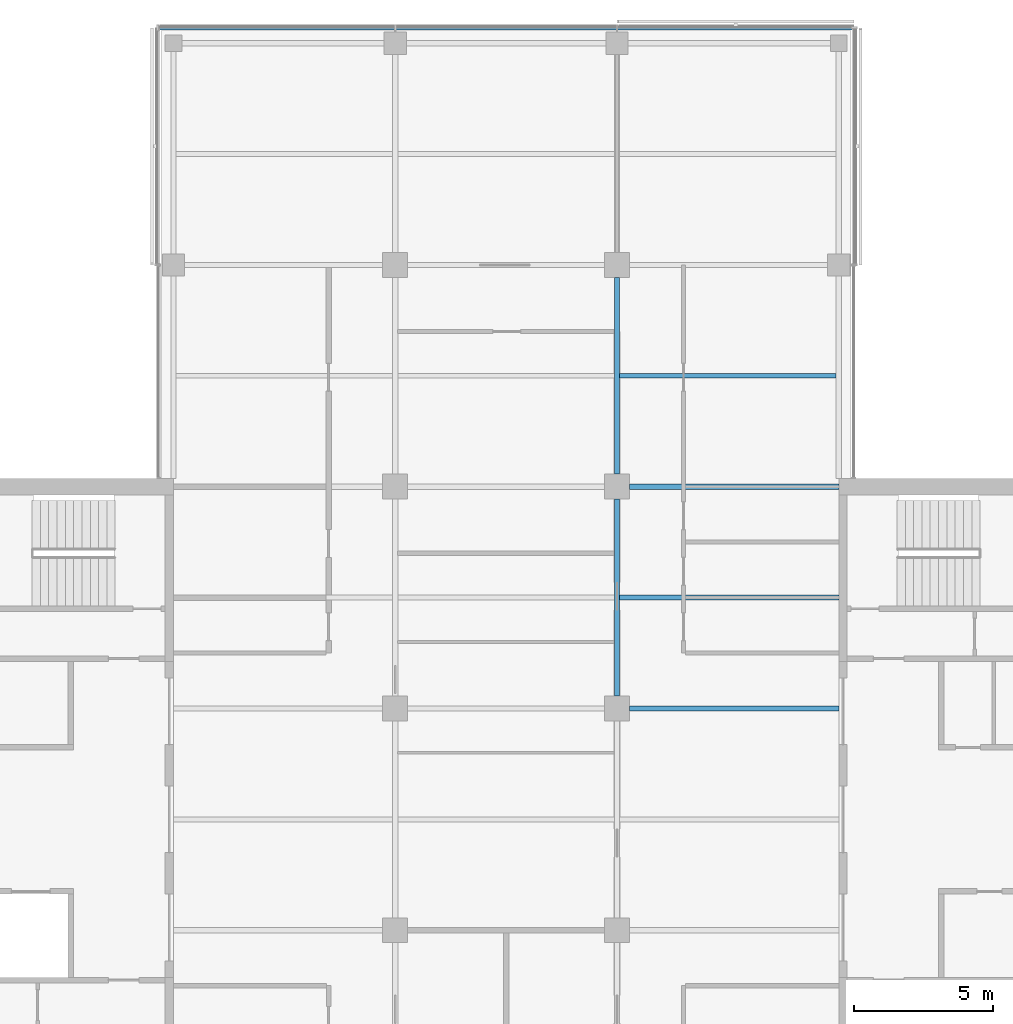
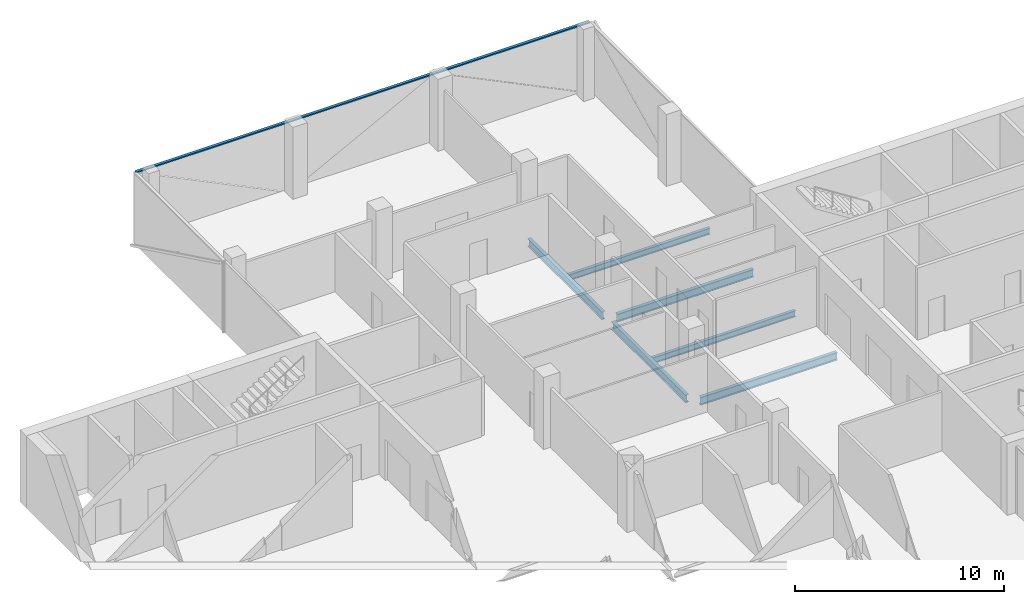
# One storey, part 6 of 15: 6 beams, 1 member, 1 element without a shape of its own.
"""IFC4 building model written with IfcOpenShell, lengths in metres."""

from ifc_helpers import new_model, si_unit, direction, frame, origin, origin_2d, place, context, subcontext, project, spatial, rectangle, i_section, extrude, material, material_profile, profile_set, type_object, element, aggregate, save


model = new_model("IFC4")

# Units and contexts
model_context = context("Model", 3, precision=1e-05, world=origin(), true_north=direction((0.0, 1.0)))
body_context = subcontext(model_context, "Body", "Model", "MODEL_VIEW")
ifc_project = project(units=[si_unit("LENGTHUNIT", "METRE"), si_unit("AREAUNIT", "SQUARE_METRE"), si_unit("VOLUMEUNIT", "CUBIC_METRE"), si_unit("PLANEANGLEUNIT", "RADIAN"), si_unit("MASSUNIT", "GRAM", prefix="KILO")], contexts=[model_context])

# Site, building, storey
site_placement = place(None, origin())
site = spatial("IfcSite", under=ifc_project, at=site_placement, CompositionType="ELEMENT")
building_placement = place(site_placement, origin())
building = spatial("IfcBuilding", under=site, at=building_placement, Name="Crosswind Convention Tower", CompositionType="ELEMENT")
storey_placement = place(building_placement, frame((0.0, 0.0, 220.89990234375)))
storey = spatial("IfcBuildingStorey", under=building, at=storey_placement, Name="L47", CompositionType="ELEMENT", Elevation=220.89990234375)

# Beams
ifc_material_1 = material(Name="Steel S355", Category="steel")
ifc_material_profile_1 = material_profile(ifc_material_1, i_section(OverallWidth=0.1904296875, OverallDepth=0.457275390625, WebThickness=0.009033203125, FlangeThickness=0.014404296875, FilletRadius=0.01025390625, at=origin_2d()), Name="UB 457x191x75")
ifc_profile_set_1 = profile_set([ifc_material_profile_1], Name="Steel S355")
beam_type_1 = type_object("IfcBeamType", Name="Girder UB 457x191x75", PredefinedType="BEAM", material=ifc_profile_set_1)
for number, where, z_axis, x_axis, name in (
    (1, (129.0, 104.449951171875, -0.528564453125), (0.0, 1.0, 0.0), (-1.0, 0.0, 0.0), "B2 L47 girder 20"),
    (2, (129.0, 112.449951171875, -0.528564453125), (0.0, 1.0, 0.0), (-1.0, 0.0, 0.0), "B2 L47 girder 21"),
):
    element("IfcBeam", number, at=place(storey_placement, frame(where, z_axis=z_axis, x_axis=x_axis)), inside=storey, type_object=beam_type_1, Name=name, PredefinedType="BEAM", context=body_context, shape_type="SweptSolid", body=[
        extrude(i_section(OverallWidth=0.1904296875, OverallDepth=0.457275390625, WebThickness=0.009033203125, FlangeThickness=0.014404296875, FilletRadius=0.01025390625, at=origin_2d()), origin(), (0.0, 0.0, 1.0), 7.10009765625),
    ])
ifc_material_profile_2 = material_profile(ifc_material_1, i_section(OverallWidth=0.19140625, OverallDepth=0.460205078125, WebThickness=0.010009765625, FlangeThickness=0.01611328125, FilletRadius=0.01025390625, at=origin_2d()), Name="UB 457x191x82")
ifc_profile_set_2 = profile_set([ifc_material_profile_2], Name="Steel S355")
beam_type_2 = type_object("IfcBeamType", Name="Girder at core wall UB 457x191x82", PredefinedType="BEAM", material=ifc_profile_set_2)
for number, where, z_axis, x_axis, name in (
    (3, (129.449951171875, 104.0, -0.530029296875), (1.0, 0.0, 0.0), (0.0, 1.0, 0.0), "B23 L47 girder at core wall 7"),
    (4, (129.449951171875, 112.0, -0.530029296875), (1.0, 0.0, 0.0), (0.0, 1.0, 0.0), "B23 L47 girder at core wall 8"),
):
    element("IfcBeam", number, at=place(storey_placement, frame(where, z_axis=z_axis, x_axis=x_axis)), inside=storey, type_object=beam_type_2, Name=name, PredefinedType="BEAM", context=body_context, shape_type="SweptSolid", body=[
        extrude(i_section(OverallWidth=0.19140625, OverallDepth=0.460205078125, WebThickness=0.010009765625, FlangeThickness=0.01611328125, FilletRadius=0.01025390625, at=origin_2d()), origin(), (0.0, 0.0, 1.0), 7.550048828125),
    ])
ifc_material_profile_3 = material_profile(ifc_material_1, i_section(OverallWidth=0.172119140625, OverallDepth=0.358642578125, WebThickness=0.008056640625, FlangeThickness=0.012939453125, FilletRadius=0.01025390625, at=origin_2d()), Name="UB 356x171x57")
ifc_profile_set_3 = profile_set([ifc_material_profile_3], Name="Steel S355")
beam_type_3 = type_object("IfcBeamType", Name="Secondary beam UB 356x171x57", PredefinedType="JOIST", material=ifc_profile_set_3)
beam_1_placement = place(storey_placement, frame((129.09521484375, 108.0, -0.479248046875), z_axis=(1.0, 0.0, 0.0), x_axis=(0.0, 1.0, 0.0)))
element("IfcBeam", 5, at=beam_1_placement, inside=storey, type_object=beam_type_3, Name="B9 L47 secondary beam 19", PredefinedType="JOIST", context=body_context, shape_type="SweptSolid", body=[
    extrude(i_section(OverallWidth=0.172119140625, OverallDepth=0.358642578125, WebThickness=0.008056640625, FlangeThickness=0.012939453125, FilletRadius=0.01025390625, at=origin_2d()), origin(), (0.0, 0.0, 1.0), 7.90478515625),
])
beam_2_placement = place(storey_placement, frame((129.09521484375, 116.0, -0.479248046875), z_axis=(1.0, 0.0, 0.0), x_axis=(0.0, 1.0, 0.0)))
element("IfcBeam", 6, at=beam_2_placement, inside=storey, type_object=beam_type_3, Name="B9 L47 secondary beam 20", PredefinedType="JOIST", context=body_context, shape_type="SweptSolid", body=[
    extrude(i_section(OverallWidth=0.172119140625, OverallDepth=0.358642578125, WebThickness=0.008056640625, FlangeThickness=0.012939453125, FilletRadius=0.01025390625, at=origin_2d()), origin(), (0.0, 0.0, 1.0), 7.809814453125),
])

# Curtain wall, member
ifc_material_2 = material(Name="Aluminium unitised curtain wall", Category="aluminium")
curtain_wall_type = type_object("IfcCurtainWallType", Name="OFFICE UNITISED WALL 220", PredefinedType="USERDEFINED", material=ifc_material_2)
curtain_wall_placement = place(storey_placement, origin())
curtain_wall = element("IfcCurtainWall", 7, at=curtain_wall_placement, inside=storey, type_object=curtain_wall_type, Name="CW3 L47 N-TIP 1", ObjectType="UNITISED", PredefinedType="USERDEFINED")
ifc_material_3 = material(Name="Aluminium transom", Category="aluminium")
ifc_material_profile_4 = material_profile(ifc_material_3, rectangle(XDim=0.159912109375, YDim=0.070068359375, at=origin_2d()), Name="AL 160X70")
ifc_profile_set_4 = profile_set([ifc_material_profile_4], Name="Aluminium transom")
member_type = type_object("IfcMemberType", Name="TRANSOM 70X160", PredefinedType="USERDEFINED", material=ifc_profile_set_4)
member_placement = place(storey_placement, frame((137.52490234375, 128.56005859375, 3.864990234375), z_axis=(-1.0, 0.0, 0.0), x_axis=(0.0, -1.0, 0.0)))
member = element("IfcMember", 8, at=member_placement, type_object=member_type, Name="CW3 transom", ObjectType="TRANSOM", PredefinedType="USERDEFINED", context=body_context, shape_type="SweptSolid", body=[
    extrude(rectangle(XDim=0.159912109375, YDim=0.070068359375, at=origin_2d()), origin(), (0.0, 0.0, 1.0), 25.0498046875),
])
aggregate(curtain_wall, [member])

save(model, "model.ifc")
